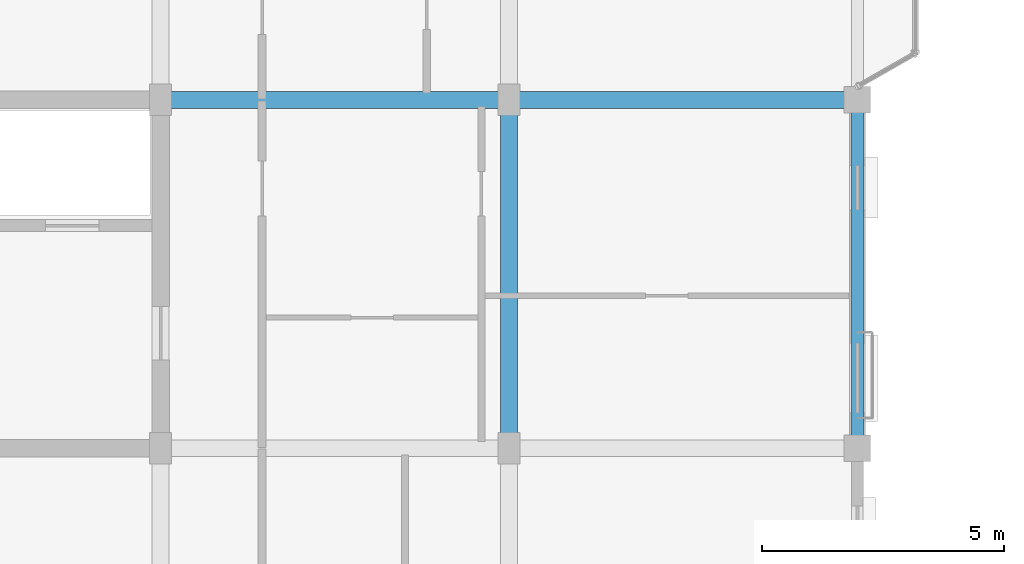
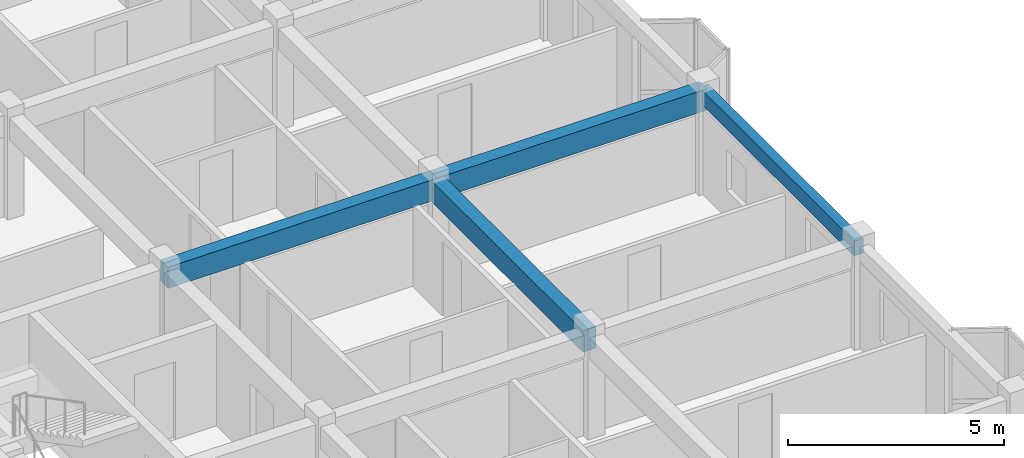
# One storey, part 7 of 75: 4 beams.
"""IFC4 building model written with IfcOpenShell, lengths in metres."""

from ifc_helpers import new_model, si_unit, direction, frame, origin, origin_2d, place, context, subcontext, project, spatial, rectangle, extrude, material, material_profile, profile_set, type_object, element, save


model = new_model("IFC4")

# Units and contexts
model_context = context("Model", 3, precision=1e-05, world=origin(), true_north=direction((0.0, 1.0)))
body_context = subcontext(model_context, "Body", "Model", "MODEL_VIEW")
ifc_project = project(units=[si_unit("LENGTHUNIT", "METRE"), si_unit("AREAUNIT", "SQUARE_METRE"), si_unit("VOLUMEUNIT", "CUBIC_METRE"), si_unit("PLANEANGLEUNIT", "RADIAN"), si_unit("MASSUNIT", "GRAM", prefix="KILO"), si_unit("THERMODYNAMICTEMPERATUREUNIT", "KELVIN"), si_unit("POWERUNIT", "WATT")], contexts=[model_context])

# Site, building, storey
site_placement = place(None, origin())
site = spatial("IfcSite", under=ifc_project, at=site_placement, CompositionType="ELEMENT")
building_placement = place(site_placement, origin())
building = spatial("IfcBuilding", under=site, at=building_placement, Name="Tavuni Mirador Residences", CompositionType="ELEMENT")
storey_placement = place(building_placement, frame((0.0, 0.0, 20.25)))
storey = spatial("IfcBuildingStorey", under=building, at=storey_placement, Name="L06", CompositionType="ELEMENT", Elevation=20.25)

# Beams
ifc_material = material(Name="Precast concrete C40/50", Category="concrete")
ifc_material_profile_1 = material_profile(ifc_material, rectangle(XDim=0.35009765625, YDim=0.60009765625, at=origin_2d()), Name="PC 350x600", Category="concrete")
ifc_profile_set_1 = profile_set([ifc_material_profile_1], Name="Precast concrete C40/50")
beam_type_1 = type_object("IfcBeamType", Name="BT-B600", PredefinedType="BEAM", material=ifc_profile_set_1)
for number, where, z_axis, x_axis, name in (
    (1, (18.0, 21.60009765625, 2.570068359375), (1.0, 0.0, 0.0), (0.0, 1.0, 0.0), "BMX-BLK-A-L06-02-02"),
    (2, (25.199951171875, 21.60009765625, 2.570068359375), (1.0, 0.0, 0.0), (0.0, 1.0, 0.0), "BMX-BLK-A-L06-03-02"),
):
    element("IfcBeam", number, at=place(storey_placement, frame(where, z_axis=z_axis, x_axis=x_axis)), inside=storey, type_object=beam_type_1, Name=name, PredefinedType="BEAM", context=body_context, shape_type="SweptSolid", body=[
        extrude(rectangle(XDim=0.35009765625, YDim=0.60009765625, at=origin_2d()), origin(), (0.0, 0.0, 1.0), 7.199951171875),
    ])
beam_1_placement = place(storey_placement, frame((25.199951171875, 14.39990234375, 2.570068359375), z_axis=(0.0, 1.0, 0.0), x_axis=(-1.0, 0.0, 0.0)))
element("IfcBeam", 3, at=beam_1_placement, inside=storey, type_object=beam_type_1, Name="BMY-BLK-A-L06-03-01", PredefinedType="BEAM", context=body_context, shape_type="SweptSolid", body=[
    extrude(rectangle(XDim=0.35009765625, YDim=0.60009765625, at=origin_2d()), origin(), (0.0, 0.0, 1.0), 7.2001953125),
])
ifc_material_profile_2 = material_profile(ifc_material, rectangle(XDim=0.25, YDim=0.419921875, at=origin_2d()), Name="PC 250x420", Category="concrete")
ifc_profile_set_2 = profile_set([ifc_material_profile_2], Name="Precast concrete C40/50")
beam_type_2 = type_object("IfcBeamType", Name="BT-SP420", PredefinedType="SPANDREL", material=ifc_profile_set_2)
beam_2_placement = place(storey_placement, frame((32.39990234375, 14.39990234375, 2.659912109375), z_axis=(0.0, 1.0, 0.0), x_axis=(-1.0, 0.0, 0.0)))
element("IfcBeam", 4, at=beam_2_placement, inside=storey, type_object=beam_type_2, Name="BMY-BLK-A-L06-04-01", PredefinedType="SPANDREL", context=body_context, shape_type="SweptSolid", body=[
    extrude(rectangle(XDim=0.25, YDim=0.419921875, at=origin_2d()), origin(), (0.0, 0.0, 1.0), 7.2001953125),
])

save(model, "model.ifc")
